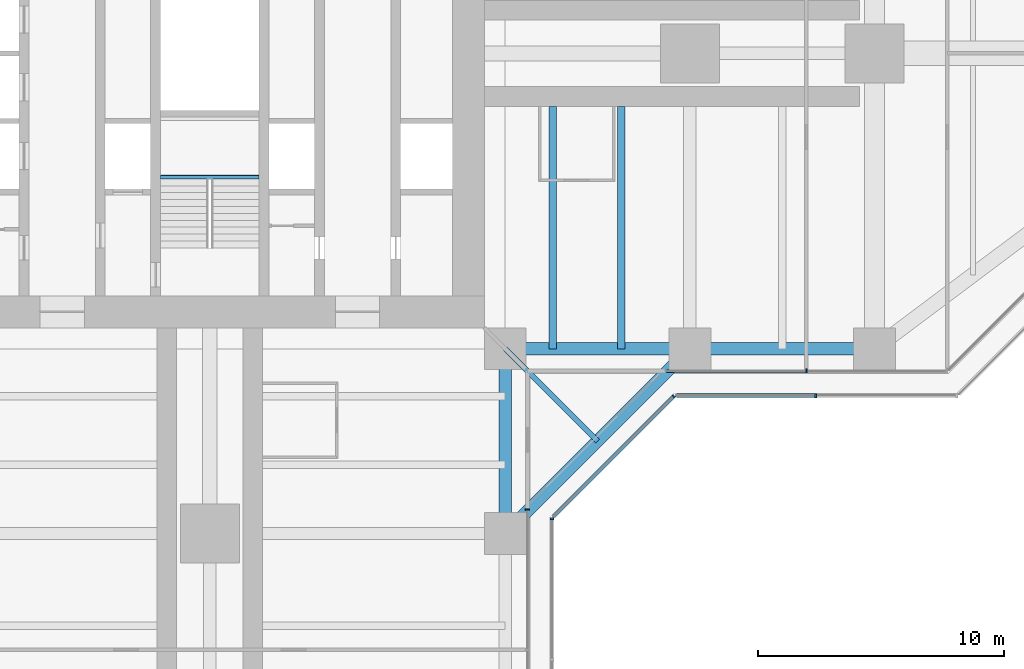
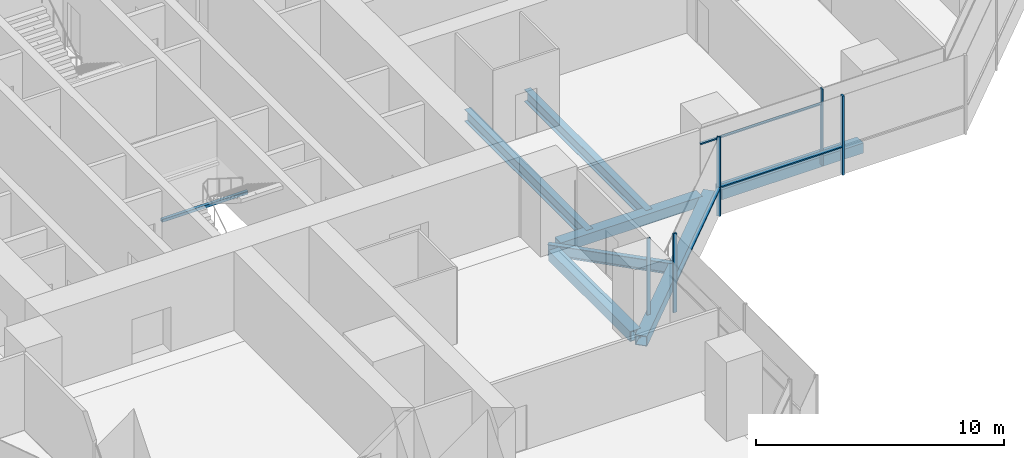
# One storey, part 6 of 22: 8 beams, 8 members, 5 elements without a shape of their own.
"""IFC4 building model written with IfcOpenShell, lengths in metres."""

from ifc_helpers import new_model, si_unit, direction, frame, origin, origin_2d, place, context, subcontext, project, spatial, rectangle, hollow_rectangle, i_section, extrude, material, material_profile, profile_set, type_object, element, aggregate, save


model = new_model("IFC4")

# Units and contexts
model_context = context("Model", 3, precision=1e-05, world=origin(), true_north=direction((0.0, 1.0)))
body_context = subcontext(model_context, "Body", "Model", "MODEL_VIEW")
ifc_project = project(units=[si_unit("LENGTHUNIT", "METRE"), si_unit("AREAUNIT", "SQUARE_METRE"), si_unit("VOLUMEUNIT", "CUBIC_METRE"), si_unit("PLANEANGLEUNIT", "RADIAN"), si_unit("MASSUNIT", "GRAM", prefix="KILO")], contexts=[model_context])

# Site, building, storey
site_placement = place(None, origin())
site = spatial("IfcSite", under=ifc_project, at=site_placement, CompositionType="ELEMENT")
building_placement = place(site_placement, origin())
building = spatial("IfcBuilding", under=site, at=building_placement, Name="Mizan Broadcast Tower", CompositionType="ELEMENT")
storey_placement = place(building_placement, frame((0.0, 0.0, 105.89990234375)))
storey = spatial("IfcBuildingStorey", under=building, at=storey_placement, Name="L23", CompositionType="ELEMENT", Elevation=105.89990234375)

# Beams
ifc_material_1 = material(Name="Steel S355", Category="steel")
ifc_material_profile_1 = material_profile(ifc_material_1, hollow_rectangle(XDim=0.5, YDim=0.5, WallThickness=0.030029296875, at=origin_2d()), Name="BOX 500x500x30")
ifc_profile_set_1 = profile_set([ifc_material_profile_1], Name="Steel S355")
beam_type_1 = type_object("IfcBeamType", Name="EDGE BEAM BOX 500x500x30", PredefinedType="SPANDREL", material=ifc_profile_set_1)
for number, where, z_axis, x_axis, name in (
    (1, (12.449951171875, -12.0, -0.3798828125), (1.0, 0.0, 0.0), (0.0, 1.0, 0.0), "Edge beam BOX 500x500x30 L23 east arm"),
    (2, (19.949951171875, -12.0, -0.3798828125), (1.0, 0.0, 0.0), (0.0, 1.0, 0.0), "Edge beam BOX 500x500x30 L23 east arm"),
    (3, (12.0, -12.449951171875, -0.3798828125), (0.0, -1.0, 0.0), (1.0, 0.0, 0.0), "Edge beam BOX 500x500x30 L23 south arm"),
):
    element("IfcBeam", number, at=place(storey_placement, frame(where, z_axis=z_axis, x_axis=x_axis)), inside=storey, type_object=beam_type_1, Name=name, PredefinedType="SPANDREL", context=body_context, shape_type="SweptSolid", body=[
        extrude(hollow_rectangle(XDim=0.5, YDim=0.5, WallThickness=0.030029296875, at=origin_2d()), origin(), (0.0, 0.0, 1.0), 6.60009765625),
    ])
beam_1_placement = place(storey_placement, frame((12.0, -19.5, -0.3798828125), z_axis=(0.707106781187, 0.707106781187, 0.0), x_axis=(-0.707106781187, 0.707106781187, 0.0)))
element("IfcBeam", 4, at=beam_1_placement, inside=storey, type_object=beam_type_1, Name="Winter garden edge beam L23 S", PredefinedType="SPANDREL", context=body_context, shape_type="SweptSolid", body=[
    extrude(hollow_rectangle(XDim=0.5, YDim=0.5, WallThickness=0.030029296875, at=origin_2d()), origin(), (0.0, 0.0, 1.0), 10.606689453125),
])

# Curtain wall, member
ifc_material_2 = material(Name="Aluminium framed glazing", Category="aluminium")
curtain_wall_type_1 = type_object("IfcCurtainWallType", Name="INNER SKIN LOW ZONE", PredefinedType="USERDEFINED", material=ifc_material_2)
curtain_wall_1_placement = place(storey_placement, origin())
curtain_wall_1 = element("IfcCurtainWall", 5, at=curtain_wall_1_placement, inside=storey, type_object=curtain_wall_type_1, Name="Inner skin low zone L23 E side", ObjectType="INNER SKIN LOW ZONE", PredefinedType="USERDEFINED")
ifc_material_3 = material(Name="Aluminium, pale anodised", Category="aluminium")
ifc_material_profile_2 = material_profile(ifc_material_3, rectangle(XDim=0.159912109375, YDim=0.06005859375, at=origin_2d()), Name="MULLION 160x60")
ifc_profile_set_2 = profile_set([ifc_material_profile_2], Name="Aluminium, pale anodised")
member_type_1 = type_object("IfcMemberType", Name="INNER SKIN MULLION 60x160", PredefinedType="MULLION", material=ifc_profile_set_2)
member_1_placement = place(storey_placement, frame((24.229248046875, -12.89990234375, 0.0), z_axis=(0.0, 0.0, 1.0), x_axis=(0.0, 1.0, 0.0)))
member_1 = element("IfcMember", 6, at=member_1_placement, type_object=member_type_1, Name="Inner skin low zone L23 E side mullion 2", PredefinedType="MULLION", context=body_context, shape_type="SweptSolid", body=[
    extrude(rectangle(XDim=0.159912109375, YDim=0.06005859375, at=origin_2d()), origin(), (0.0, 0.0, 1.0), 3.77001953125),
])

curtain_wall_2_placement = place(storey_placement, origin())
curtain_wall_2 = element("IfcCurtainWall", 7, at=curtain_wall_2_placement, inside=storey, type_object=curtain_wall_type_1, Name="Inner skin low zone L23 S side", ObjectType="INNER SKIN LOW ZONE", PredefinedType="USERDEFINED")
member_2_placement = place(storey_placement, frame((12.89990234375, -18.530029296875, 0.0), z_axis=(0.0, 0.0, 1.0), x_axis=(-1.0, 0.0, 0.0)))
member_2 = element("IfcMember", 8, at=member_2_placement, type_object=member_type_1, Name="Inner skin low zone L23 S side mullion 3", PredefinedType="MULLION", context=body_context, shape_type="SweptSolid", body=[
    extrude(rectangle(XDim=0.159912109375, YDim=0.06005859375, at=origin_2d()), origin(), (0.0, 0.0, 1.0), 3.77001953125),
])
aggregate(curtain_wall_2, [member_2])

# Member
ifc_material_4 = material(Name="Aluminium, pale anodised", Category="aluminium")
ifc_material_profile_3 = material_profile(ifc_material_4, rectangle(XDim=0.1201171875, YDim=0.06005859375, at=origin_2d()), Name="TRANSOM 120x60")
ifc_profile_set_3 = profile_set([ifc_material_profile_3], Name="Aluminium, pale anodised")
member_type_2 = type_object("IfcMemberType", Name="INNER SKIN TRANSOM 60x120", PredefinedType="USERDEFINED", material=ifc_profile_set_3)
member_3_placement = place(storey_placement, frame((18.56005859375, -12.89990234375, 3.030029296875), z_axis=(1.0, 0.0, 0.0), x_axis=(0.0, 1.0, 0.0)))
member_3 = element("IfcMember", 9, at=member_3_placement, type_object=member_type_2, Name="Inner skin low zone L23 E side transom 1.1", ObjectType="TRANSOM", PredefinedType="USERDEFINED", context=body_context, shape_type="SweptSolid", body=[
    extrude(rectangle(XDim=0.1201171875, YDim=0.06005859375, at=origin_2d()), origin(), (0.0, 0.0, 1.0), 5.63916015625),
])

aggregate(curtain_wall_1, [member_1, member_3])

# Beam
ifc_material_5 = material(Name="Steel S355", Category="steel")
ifc_material_profile_4 = material_profile(ifc_material_5, hollow_rectangle(XDim=0.14990234375, YDim=0.14990234375, WallThickness=0.008056640625, InnerFilletRadius=0.008056640625, OuterFilletRadius=0.011962890625, at=origin_2d()), Name="SHS 150x150x8")
ifc_profile_set_4 = profile_set([ifc_material_profile_4], Name="Steel S355")
beam_type_2 = type_object("IfcBeamType", Name="LANDING TRIMMER SHS 150x150x8", PredefinedType="BEAM", material=ifc_profile_set_4)
beam_2_placement = place(storey_placement, frame((-2.0, -5.02490234375, 1.675048828125), z_axis=(1.0, 0.0, 0.0), x_axis=(0.0, 1.0, 0.0)))
element("IfcBeam", 10, at=beam_2_placement, inside=storey, type_object=beam_type_2, Name="Stair A landing trimmer L23", PredefinedType="BEAM", context=body_context, shape_type="SweptSolid", body=[
    extrude(hollow_rectangle(XDim=0.14990234375, YDim=0.14990234375, WallThickness=0.008056640625, InnerFilletRadius=0.008056640625, OuterFilletRadius=0.011962890625, at=origin_2d()), origin(), (0.0, 0.0, 1.0), 4.0),
])

# Curtain wall, member
ifc_material_6 = material(Name="Aluminium framed glazing", Category="aluminium")
curtain_wall_type_2 = type_object("IfcCurtainWallType", Name="OUTER SKIN", PredefinedType="USERDEFINED", material=ifc_material_6)
curtain_wall_3_placement = place(storey_placement, origin())
curtain_wall_3 = element("IfcCurtainWall", 11, at=curtain_wall_3_placement, inside=storey, type_object=curtain_wall_type_2, Name="Outer skin L23 S side", ObjectType="OUTER SKIN", PredefinedType="USERDEFINED")
ifc_material_7 = material(Name="Aluminium, pale anodised", Category="aluminium")
ifc_material_profile_5 = material_profile(ifc_material_7, rectangle(XDim=0.159912109375, YDim=0.080078125, at=origin_2d()), Name="MULLION 160x80")
ifc_profile_set_5 = profile_set([ifc_material_profile_5], Name="Aluminium, pale anodised")
member_type_3 = type_object("IfcMemberType", Name="OUTER SKIN MULLION 80x160", PredefinedType="MULLION", material=ifc_profile_set_5)
member_4_placement = place(storey_placement, frame((13.89990234375, -18.912841796875, 0.0), z_axis=(0.0, 0.0, 1.0), x_axis=(-1.0, 0.0, 0.0)))
member_4 = element("IfcMember", 12, at=member_4_placement, type_object=member_type_3, Name="Outer skin L23 S side mullion 3", PredefinedType="MULLION", context=body_context, shape_type="SweptSolid", body=[
    extrude(rectangle(XDim=0.159912109375, YDim=0.080078125, at=origin_2d()), origin(), (0.0, 0.0, 1.0), 3.900146484375),
])
aggregate(curtain_wall_3, [member_4])

curtain_wall_4_placement = place(storey_placement, origin())
curtain_wall_4 = element("IfcCurtainWall", 13, at=curtain_wall_4_placement, inside=storey, type_object=curtain_wall_type_2, Name="Outer skin L23 E chamfer", ObjectType="OUTER SKIN", PredefinedType="USERDEFINED")
member_5_placement = place(storey_placement, frame((18.844482421875, -13.92822265625, 0.0), z_axis=(0.0, 0.0, 1.0), x_axis=(-0.707106781187, 0.707106781187, 0.0)))
member_5 = element("IfcMember", 14, at=member_5_placement, type_object=member_type_3, Name="Outer skin L23 E chamfer mullion 2", PredefinedType="MULLION", context=body_context, shape_type="SweptSolid", body=[
    extrude(rectangle(XDim=0.159912109375, YDim=0.080078125, at=origin_2d()), origin(), (0.0, 0.0, 1.0), 3.900146484375),
])

curtain_wall_5_placement = place(storey_placement, origin())
curtain_wall_5 = element("IfcCurtainWall", 15, at=curtain_wall_5_placement, inside=storey, type_object=curtain_wall_type_2, Name="Outer skin L23 E side", ObjectType="OUTER SKIN", PredefinedType="USERDEFINED")
member_6_placement = place(storey_placement, frame((24.622802734375, -13.89990234375, 0.0), z_axis=(0.0, 0.0, 1.0), x_axis=(0.0, 1.0, 0.0)))
member_6 = element("IfcMember", 16, at=member_6_placement, type_object=member_type_3, Name="Outer skin L23 E side mullion 2", PredefinedType="MULLION", context=body_context, shape_type="SweptSolid", body=[
    extrude(rectangle(XDim=0.159912109375, YDim=0.080078125, at=origin_2d()), origin(), (0.0, 0.0, 1.0), 3.900146484375),
])

# Member
ifc_material_8 = material(Name="Aluminium, pale anodised", Category="aluminium")
ifc_material_profile_6 = material_profile(ifc_material_8, rectangle(XDim=0.159912109375, YDim=0.06005859375, at=origin_2d()), Name="TRANSOM 160x60")
ifc_profile_set_6 = profile_set([ifc_material_profile_6], Name="Aluminium, pale anodised")
member_type_4 = type_object("IfcMemberType", Name="OUTER SKIN TRANSOM 60x160", PredefinedType="USERDEFINED", material=ifc_profile_set_6)
member_7_placement = place(storey_placement, frame((13.95654296875, -18.816162109375, 1.400146484375), z_axis=(0.707106781187, 0.707106781187, 0.0), x_axis=(-0.707106781187, 0.707106781187, 0.0)))
member_7 = element("IfcMember", 17, at=member_7_placement, type_object=member_type_4, Name="Outer skin L23 E chamfer transom 1.1", ObjectType="TRANSOM", PredefinedType="USERDEFINED", context=body_context, shape_type="SweptSolid", body=[
    extrude(rectangle(XDim=0.159912109375, YDim=0.06005859375, at=origin_2d()), origin(), (0.0, 0.0, 1.0), 6.87255859375),
])

aggregate(curtain_wall_4, [member_5, member_7])

member_8_placement = place(storey_placement, frame((18.952880859375, -13.89990234375, 1.400146484375), z_axis=(1.0, 0.0, 0.0), x_axis=(0.0, 1.0, 0.0)))
member_8 = element("IfcMember", 18, at=member_8_placement, type_object=member_type_4, Name="Outer skin L23 E side transom 1.1", ObjectType="TRANSOM", PredefinedType="USERDEFINED", context=body_context, shape_type="SweptSolid", body=[
    extrude(rectangle(XDim=0.159912109375, YDim=0.06005859375, at=origin_2d()), origin(), (0.0, 0.0, 1.0), 5.6298828125),
])

aggregate(curtain_wall_5, [member_6, member_8])

# Beams
ifc_material_9 = material(Name="Steel S355", Category="steel")
ifc_material_profile_7 = material_profile(ifc_material_9, i_section(OverallWidth=0.300048828125, OverallDepth=0.590087890625, WebThickness=0.012939453125, FlangeThickness=0.02490234375, FilletRadius=0.027099609375, at=origin_2d()), Name="HEA 600")
ifc_profile_set_7 = profile_set([ifc_material_profile_7], Name="Steel S355")
beam_type_3 = type_object("IfcBeamType", Name="SECONDARY BEAM HEA 600", PredefinedType="JOIST", material=ifc_profile_set_7)
for number, where, z_axis, x_axis, name in (
    (19, (13.933349609375, -12.0, -0.4248046875), (0.0, 1.0, 0.0), (-1.0, 0.0, 0.0), "Secondary beam HEA 600 L23 east arm"),
    (20, (16.716552734375, -12.0, -0.4248046875), (0.0, 1.0, 0.0), (-1.0, 0.0, 0.0), "Secondary beam HEA 600 L23 east arm"),
):
    element("IfcBeam", number, at=place(storey_placement, frame(where, z_axis=z_axis, x_axis=x_axis)), inside=storey, type_object=beam_type_3, Name=name, PredefinedType="JOIST", context=body_context, shape_type="SweptSolid", body=[
        extrude(i_section(OverallWidth=0.300048828125, OverallDepth=0.590087890625, WebThickness=0.012939453125, FlangeThickness=0.02490234375, FilletRadius=0.027099609375, at=origin_2d()), origin(), (0.0, 0.0, 1.0), 9.85009765625),
    ])
ifc_material_10 = material(Name="Steel S355", Category="steel")
ifc_material_profile_8 = material_profile(ifc_material_10, i_section(OverallWidth=0.2099609375, OverallDepth=0.550048828125, WebThickness=0.010986328125, FlangeThickness=0.01708984375, FilletRadius=0.02392578125, at=origin_2d()), Name="IPE 550")
ifc_profile_set_8 = profile_set([ifc_material_profile_8], Name="Steel S355")
beam_type_4 = type_object("IfcBeamType", Name="SECONDARY BEAM IPE 550", PredefinedType="JOIST", material=ifc_profile_set_8)
beam_3_placement = place(storey_placement, frame((12.0, -12.0, -0.40478515625), z_axis=(0.707106781187, -0.707106781187, 0.0), x_axis=(0.707106781187, 0.707106781187, 0.0)))
element("IfcBeam", 21, at=beam_3_placement, inside=storey, type_object=beam_type_4, Name="Winter garden beam L23 S", PredefinedType="JOIST", context=body_context, shape_type="SweptSolid", body=[
    extrude(i_section(OverallWidth=0.2099609375, OverallDepth=0.550048828125, WebThickness=0.010986328125, FlangeThickness=0.01708984375, FilletRadius=0.02392578125, at=origin_2d()), origin(), (0.0, 0.0, 1.0), 5.30322265625),
])

save(model, "model.ifc")
